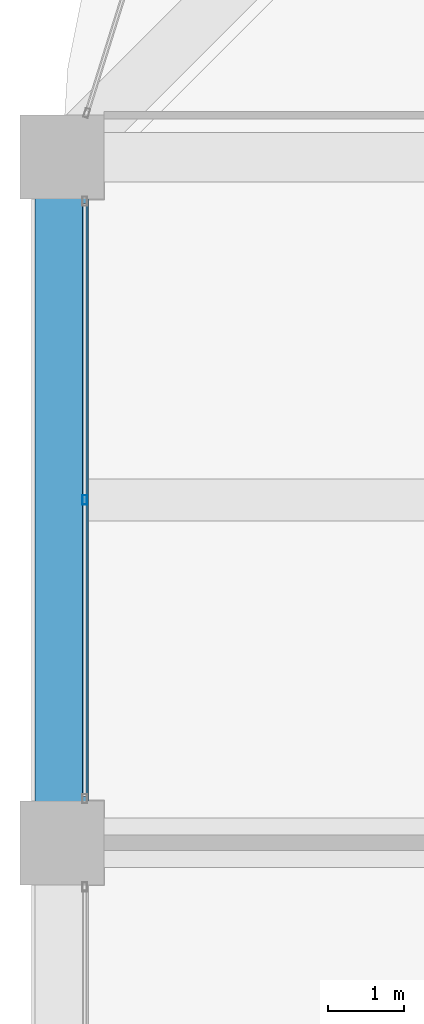
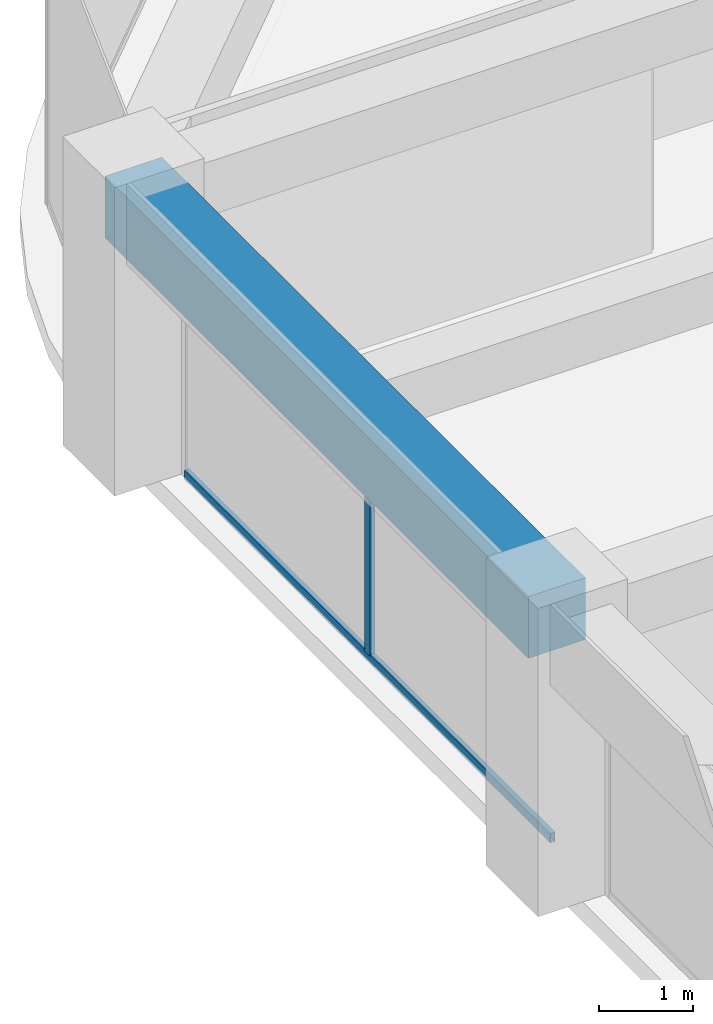
# One storey, part 16 of 44: 2 members, 1 beam, 1 element without a shape of its own.
"""IFC4 building model written with IfcOpenShell, lengths in metres."""

from ifc_helpers import new_model, si_unit, direction, frame, origin, origin_2d, place, context, subcontext, project, spatial, rectangle, hollow_rectangle, extrude, material, material_profile, profile_set, type_object, element, aggregate, save


model = new_model("IFC4")

# Units and contexts
model_context = context("Model", 3, precision=1e-05, world=origin(), true_north=direction((0.0, 1.0)))
body_context = subcontext(model_context, "Body", "Model", "MODEL_VIEW")
ifc_project = project(units=[si_unit("LENGTHUNIT", "METRE"), si_unit("AREAUNIT", "SQUARE_METRE"), si_unit("VOLUMEUNIT", "CUBIC_METRE"), si_unit("PLANEANGLEUNIT", "RADIAN"), si_unit("MASSUNIT", "GRAM", prefix="KILO")], contexts=[model_context])

# Site, building, storey
site_placement = place(None, origin())
site = spatial("IfcSite", under=ifc_project, at=site_placement, CompositionType="ELEMENT")
building_placement = place(site_placement, origin())
building = spatial("IfcBuilding", under=site, at=building_placement, Name="Zorevar Civic Tower", CompositionType="ELEMENT")
storey_placement = place(building_placement, frame((0.0, 0.0, 267.39990234375)))
storey = spatial("IfcBuildingStorey", under=building, at=storey_placement, Name="L65", CompositionType="ELEMENT", Elevation=267.39990234375)

# Curtain wall, members
ifc_material_1 = material(Name="Dark grey solar-control glass in black aluminium frame", Category="aluminium")
curtain_wall_type = type_object("IfcCurtainWallType", Name="Curtain wall CW5 top zone", PredefinedType="NOTDEFINED", material=ifc_material_1)
curtain_wall_placement = place(storey_placement, origin())
curtain_wall = element("IfcCurtainWall", 1, at=curtain_wall_placement, inside=storey, type_object=curtain_wall_type, Name="CW5 L65", PredefinedType="NOTDEFINED")
ifc_material_2 = material(Name="Aluminium, black anodised", Category="aluminium")
ifc_material_profile_1 = material_profile(ifc_material_2, hollow_rectangle(XDim=0.06005859375, YDim=0.1201171875, WallThickness=0.0029296875, at=origin_2d()), Name="AL 120x60x3")
ifc_profile_set_1 = profile_set([ifc_material_profile_1], Name="Aluminium, black anodised")
member_type_1 = type_object("IfcMemberType", Name="CW5 mullion AL 120x60x3", PredefinedType="MULLION", material=ifc_profile_set_1)
member_1_placement = place(storey_placement, frame((9.300048828125, 31.5, 0.06005859375), z_axis=(0.0, 0.0, 1.0), x_axis=(-1.0, 0.0, 0.0)))
member_1 = element("IfcMember", 2, at=member_1_placement, type_object=member_type_1, Name="CW5 mullion 2", PredefinedType="MULLION", context=body_context, shape_type="SweptSolid", body=[
    extrude(hollow_rectangle(XDim=0.06005859375, YDim=0.1201171875, WallThickness=0.0029296875, at=origin_2d()), origin(), (0.0, 0.0, 1.0), 2.89013671875),
])
ifc_material_3 = material(Name="Aluminium, black anodised", Category="aluminium")
ifc_material_profile_2 = material_profile(ifc_material_3, hollow_rectangle(XDim=0.06005859375, YDim=0.1201171875, WallThickness=0.0029296875, at=origin_2d()), Name="AL 120x60x3")
ifc_profile_set_2 = profile_set([ifc_material_profile_2], Name="Aluminium, black anodised")
member_type_2 = type_object("IfcMemberType", Name="CW5 transom AL 120x60x3", PredefinedType="USERDEFINED", material=ifc_profile_set_2)
member_2_placement = place(storey_placement, frame((9.300048828125, 27.610107421875, 0.030029296875), z_axis=(0.0, 1.0, 0.0), x_axis=(-1.0, 0.0, 0.0)))
member_2 = element("IfcMember", 3, at=member_2_placement, type_object=member_type_2, Name="CW5 sill transom", ObjectType="TRANSOM", PredefinedType="USERDEFINED", context=body_context, shape_type="SweptSolid", body=[
    extrude(hollow_rectangle(XDim=0.06005859375, YDim=0.1201171875, WallThickness=0.0029296875, at=origin_2d()), origin(), (0.0, 0.0, 1.0), 7.77978515625),
])
aggregate(curtain_wall, [member_1, member_2])

# Beam
ifc_material_4 = material(Name="Concrete C50/60", Category="concrete")
ifc_material_profile_3 = material_profile(ifc_material_4, rectangle(XDim=0.699951171875, YDim=0.800048828125, at=origin_2d()), Name="RC 700x800")
ifc_profile_set_3 = profile_set([ifc_material_profile_3], Name="Concrete C50/60")
beam_type = type_object("IfcBeamType", Name="Edge beam RC 700x800", PredefinedType="SPANDREL", material=ifc_profile_set_3)
beam_placement = place(storey_placement, frame((9.0, 27.0, 3.35009765625), z_axis=(0.0, 1.0, 0.0), x_axis=(-1.0, 0.0, 0.0)))
element("IfcBeam", 4, at=beam_placement, inside=storey, type_object=beam_type, Name="Edge beam L66", PredefinedType="SPANDREL", context=body_context, shape_type="SweptSolid", body=[
    extrude(rectangle(XDim=0.699951171875, YDim=0.800048828125, at=origin_2d()), origin(), (0.0, 0.0, 1.0), 9.0),
])

save(model, "model.ifc")
